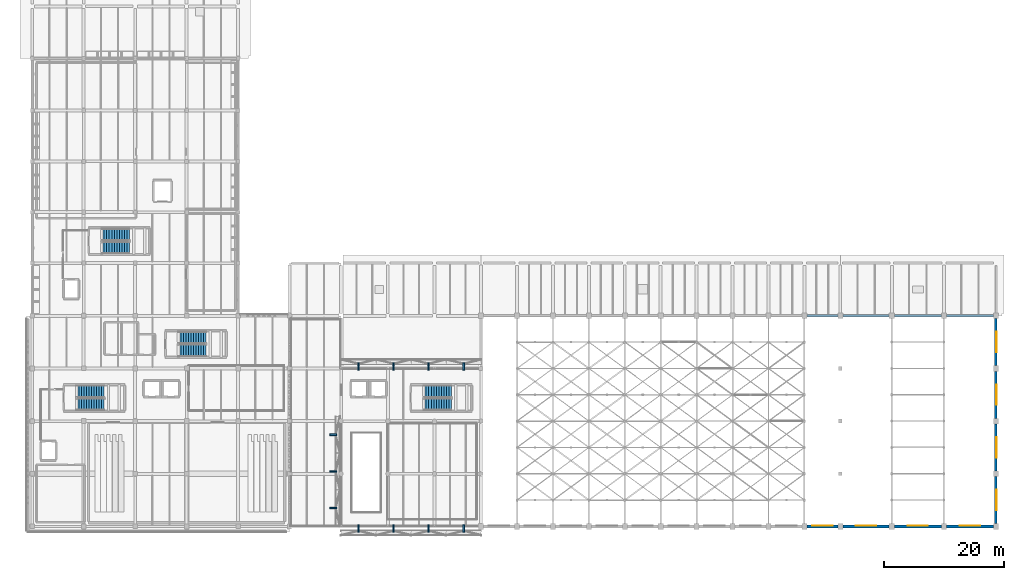
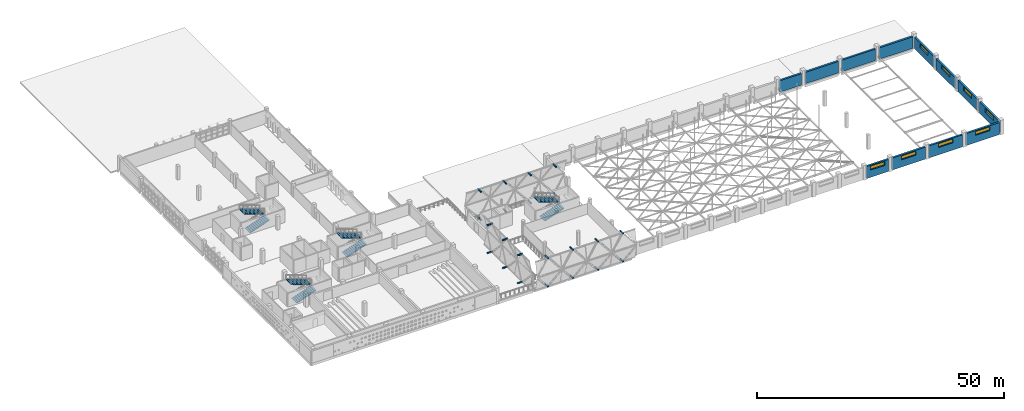
# One storey, part 83 of 93: 22 discrete accessories, 12 walls, 8 stair flights, 8 windows, 8 openings, 4 elements without a shape of their own.
"""IFC4 building model written with IfcOpenShell, lengths in metres."""

from ifc_helpers import new_model, si_unit, direction, frame, frame_2d, origin, origin_2d, place, context, subcontext, project, spatial, polyline, rectangle, outline, extrude, material, layer, layer_set, type_object, element, fill, aggregate, save


model = new_model("IFC4")

# Units and contexts
model_context = context("Model", 3, precision=1e-05, world=origin(), true_north=direction((0.0, 1.0)))
body_context = subcontext(model_context, "Body", "Model", "MODEL_VIEW")
ifc_project = project(units=[si_unit("LENGTHUNIT", "METRE"), si_unit("AREAUNIT", "SQUARE_METRE"), si_unit("VOLUMEUNIT", "CUBIC_METRE"), si_unit("PLANEANGLEUNIT", "RADIAN"), si_unit("MASSUNIT", "GRAM", prefix="KILO")], contexts=[model_context])

# Site, building, storey
site_placement = place(None, origin())
site = spatial("IfcSite", under=ifc_project, at=site_placement, CompositionType="ELEMENT")
building_placement = place(site_placement, origin())
building = spatial("IfcBuilding", under=site, at=building_placement, Name="Varnakota Cinema and Media Centre", CompositionType="ELEMENT")
storey_placement = place(building_placement, frame((0.0, 0.0, 12.0)))
storey = spatial("IfcBuildingStorey", under=building, at=storey_placement, Name="L03", CompositionType="ELEMENT", Elevation=12.0)

# Wall, opening, window
ifc_material_1 = material(Name="Deccan grey granite ashlar", Category="masonry")
ifc_layer = layer(ifc_material_1, 0.43994140625)
ifc_layer_set = layer_set([ifc_layer], Name="Deccan grey granite ashlar")
wall_type = type_object("IfcWallType", Name="W-EXT-HALL-440", PredefinedType="SOLIDWALL", material=ifc_layer_set)
wall_1_placement = place(storey_placement, frame((134.574951171875, 0.0, 0.0), z_axis=(0.0, 0.0, 1.0), x_axis=(-1.0, 0.0, 0.0)))
wall_1 = element("IfcWall", 1, at=wall_1_placement, inside=storey, type_object=wall_type, Name="L03 exterior wall V1-S-1", PredefinedType="SOLIDWALL", context=body_context, shape_type="SweptSolid", body=[
    extrude(rectangle(XDim=5.14990234375, YDim=0.43994140625, at=frame_2d((2.574951171875, 0.0))), origin(), (0.0, 0.0, 1.0), 2.985107421875),
])
opening_1_placement = place(wall_1_placement, frame((0.875, 0.0, 1.784912109375)))
opening_1 = element("IfcOpeningElement", 2, at=opening_1_placement, cuts=wall_1, Name="Opening WR05", PredefinedType="OPENING", context=body_context, shape_type="SweptSolid", body=[
    extrude(rectangle(XDim=3.39990234375, YDim=0.949951171875, at=frame_2d((1.699951171875, 0.47509765625))), frame((0.0, 0.219970703125, 0.0), z_axis=(0.0, -1.0, 0.0), x_axis=(1.0, 0.0, 0.0)), (0.0, 0.0, 1.0), 0.43994140625),
])
ifc_material_2 = material(Name="Laminated solar-control double glazing", Category="glass")
window_type = type_object("IfcWindowType", Name="WIN-CLER-340x095", PartitioningType="SINGLE_PANEL", PredefinedType="WINDOW", material=ifc_material_2)
window_1_placement = place(opening_1_placement, origin())
window_1 = element("IfcWindow", 3, at=window_1_placement, inside=storey, type_object=window_type, Name="L03 window WR05", OverallHeight=0.949951171875, OverallWidth=3.39990234375, PartitioningType="SINGLE_PANEL", PredefinedType="WINDOW", context=body_context, shape_type="SweptSolid", body=[
    extrude(rectangle(XDim=3.39990234375, YDim=0.949951171875, at=frame_2d((1.699951171875, 0.47509765625))), frame((0.0, -0.090087890625, 0.0), z_axis=(0.0, -1.0, 0.0), x_axis=(1.0, 0.0, 0.0)), (0.0, 0.0, 1.0), 0.06005859375),
])
fill(opening_1, window_1)

wall_2_placement = place(storey_placement, frame((160.574951171875, 0.0, 0.0), z_axis=(0.0, 0.0, 1.0), x_axis=(-1.0, 0.0, 0.0)))
wall_2 = element("IfcWall", 4, at=wall_2_placement, inside=storey, type_object=wall_type, Name="L03 exterior wall V2-S-1", PredefinedType="SOLIDWALL", context=body_context, shape_type="SweptSolid", body=[
    extrude(rectangle(XDim=7.849853515625, YDim=0.43994140625, at=frame_2d((3.9248046875, 0.0))), origin(), (0.0, 0.0, 1.0), 2.985107421875),
])
opening_2_placement = place(wall_2_placement, frame((2.22509765625, 0.0, 1.784912109375)))
opening_2 = element("IfcOpeningElement", 5, at=opening_2_placement, cuts=wall_2, Name="Opening WR05", PredefinedType="OPENING", context=body_context, shape_type="SweptSolid", body=[
    extrude(rectangle(XDim=3.39990234375, YDim=0.949951171875, at=frame_2d((1.699951171875, 0.47509765625))), frame((0.0, 0.219970703125, 0.0), z_axis=(0.0, -1.0, 0.0), x_axis=(1.0, 0.0, 0.0)), (0.0, 0.0, 1.0), 0.43994140625),
])
window_2_placement = place(opening_2_placement, origin())
window_2 = element("IfcWindow", 6, at=window_2_placement, inside=storey, type_object=window_type, Name="L03 window WR05", OverallHeight=0.949951171875, OverallWidth=3.39990234375, PartitioningType="SINGLE_PANEL", PredefinedType="WINDOW", context=body_context, shape_type="SweptSolid", body=[
    extrude(rectangle(XDim=3.39990234375, YDim=0.949951171875, at=frame_2d((1.699951171875, 0.47509765625))), frame((0.0, -0.090087890625, 0.0), z_axis=(0.0, -1.0, 0.0), x_axis=(1.0, 0.0, 0.0)), (0.0, 0.0, 1.0), 0.06005859375),
])
fill(opening_2, window_2)

wall_3_placement = place(storey_placement, frame((151.875, 0.0, 0.0), z_axis=(0.0, 0.0, 1.0), x_axis=(-1.0, 0.0, 0.0)))
wall_3 = element("IfcWall", 7, at=wall_3_placement, inside=storey, type_object=wall_type, Name="L03 exterior wall V2-S-2", PredefinedType="SOLIDWALL", context=body_context, shape_type="SweptSolid", body=[
    extrude(rectangle(XDim=7.85009765625, YDim=0.43994140625, at=frame_2d((3.925048828125, 0.0))), origin(), (0.0, 0.0, 1.0), 2.985107421875),
])
opening_3_placement = place(wall_3_placement, frame((2.22509765625, 0.0, 1.784912109375)))
opening_3 = element("IfcOpeningElement", 8, at=opening_3_placement, cuts=wall_3, Name="Opening WR05", PredefinedType="OPENING", context=body_context, shape_type="SweptSolid", body=[
    extrude(rectangle(XDim=3.39990234375, YDim=0.949951171875, at=frame_2d((1.699951171875, 0.47509765625))), frame((0.0, 0.219970703125, 0.0), z_axis=(0.0, -1.0, 0.0), x_axis=(1.0, 0.0, 0.0)), (0.0, 0.0, 1.0), 0.43994140625),
])
window_3_placement = place(opening_3_placement, origin())
window_3 = element("IfcWindow", 9, at=window_3_placement, inside=storey, type_object=window_type, Name="L03 window WR05", OverallHeight=0.949951171875, OverallWidth=3.39990234375, PartitioningType="SINGLE_PANEL", PredefinedType="WINDOW", context=body_context, shape_type="SweptSolid", body=[
    extrude(rectangle(XDim=3.39990234375, YDim=0.949951171875, at=frame_2d((1.699951171875, 0.47509765625))), frame((0.0, -0.090087890625, 0.0), z_axis=(0.0, -1.0, 0.0), x_axis=(1.0, 0.0, 0.0)), (0.0, 0.0, 1.0), 0.06005859375),
])
fill(opening_3, window_3)

wall_4_placement = place(storey_placement, frame((143.175048828125, 0.0, 0.0), z_axis=(0.0, 0.0, 1.0), x_axis=(-1.0, 0.0, 0.0)))
wall_4 = element("IfcWall", 10, at=wall_4_placement, inside=storey, type_object=wall_type, Name="L03 exterior wall V2-S-3", PredefinedType="SOLIDWALL", context=body_context, shape_type="SweptSolid", body=[
    extrude(rectangle(XDim=7.75, YDim=0.43994140625, at=frame_2d((3.875, 0.0))), origin(), (0.0, 0.0, 1.0), 2.985107421875),
])
opening_4_placement = place(wall_4_placement, frame((2.175048828125, 0.0, 1.784912109375)))
opening_4 = element("IfcOpeningElement", 11, at=opening_4_placement, cuts=wall_4, Name="Opening WR05", PredefinedType="OPENING", context=body_context, shape_type="SweptSolid", body=[
    extrude(rectangle(XDim=3.39990234375, YDim=0.949951171875, at=frame_2d((1.699951171875, 0.47509765625))), frame((0.0, 0.219970703125, 0.0), z_axis=(0.0, -1.0, 0.0), x_axis=(1.0, 0.0, 0.0)), (0.0, 0.0, 1.0), 0.43994140625),
])
window_4_placement = place(opening_4_placement, origin())
window_4 = element("IfcWindow", 12, at=window_4_placement, inside=storey, type_object=window_type, Name="L03 window WR05", OverallHeight=0.949951171875, OverallWidth=3.39990234375, PartitioningType="SINGLE_PANEL", PredefinedType="WINDOW", context=body_context, shape_type="SweptSolid", body=[
    extrude(rectangle(XDim=3.39990234375, YDim=0.949951171875, at=frame_2d((1.699951171875, 0.47509765625))), frame((0.0, -0.090087890625, 0.0), z_axis=(0.0, -1.0, 0.0), x_axis=(1.0, 0.0, 0.0)), (0.0, 0.0, 1.0), 0.06005859375),
])
fill(opening_4, window_4)

wall_5_placement = place(storey_placement, frame((161.0, 0.47509765625, 0.0), z_axis=(0.0, 0.0, 1.0), x_axis=(0.0, 1.0, 0.0)))
wall_5 = element("IfcWall", 13, at=wall_5_placement, inside=storey, type_object=wall_type, Name="L03 exterior wall V2-E-HALL-1", PredefinedType="SOLIDWALL", context=body_context, shape_type="SweptSolid", body=[
    extrude(rectangle(XDim=7.849853515625, YDim=0.43994140625, at=frame_2d((3.9248046875, 0.0))), origin(), (0.0, 0.0, 1.0), 2.8349609375),
])
opening_5_placement = place(wall_5_placement, frame((2.22509765625, 0.0, 1.635009765625)))
opening_5 = element("IfcOpeningElement", 14, at=opening_5_placement, cuts=wall_5, Name="Opening WR05", PredefinedType="OPENING", context=body_context, shape_type="SweptSolid", body=[
    extrude(rectangle(XDim=3.39990234375, YDim=0.949951171875, at=frame_2d((1.699951171875, 0.47509765625))), frame((0.0, 0.219970703125, 0.0), z_axis=(0.0, -1.0, 0.0), x_axis=(1.0, 0.0, 0.0)), (0.0, 0.0, 1.0), 0.43994140625),
])
window_5_placement = place(opening_5_placement, origin())
window_5 = element("IfcWindow", 15, at=window_5_placement, inside=storey, type_object=window_type, Name="L03 window WR05", OverallHeight=0.949951171875, OverallWidth=3.39990234375, PartitioningType="SINGLE_PANEL", PredefinedType="WINDOW", context=body_context, shape_type="SweptSolid", body=[
    extrude(rectangle(XDim=3.39990234375, YDim=0.949951171875, at=frame_2d((1.699951171875, 0.47509765625))), frame((0.0, -0.090087890625, 0.0), z_axis=(0.0, -1.0, 0.0), x_axis=(1.0, 0.0, 0.0)), (0.0, 0.0, 1.0), 0.06005859375),
])
fill(opening_5, window_5)

wall_6_placement = place(storey_placement, frame((161.0, 9.27490234375, 0.0), z_axis=(0.0, 0.0, 1.0), x_axis=(0.0, 1.0, 0.0)))
wall_6 = element("IfcWall", 16, at=wall_6_placement, inside=storey, type_object=wall_type, Name="L03 exterior wall V2-E-HALL-2", PredefinedType="SOLIDWALL", context=body_context, shape_type="SweptSolid", body=[
    extrude(rectangle(XDim=7.85009765625, YDim=0.43994140625, at=frame_2d((3.925048828125, 0.0))), origin(), (0.0, 0.0, 1.0), 2.8349609375),
])
opening_6_placement = place(wall_6_placement, frame((2.22509765625, 0.0, 1.635009765625)))
opening_6 = element("IfcOpeningElement", 17, at=opening_6_placement, cuts=wall_6, Name="Opening WR05", PredefinedType="OPENING", context=body_context, shape_type="SweptSolid", body=[
    extrude(rectangle(XDim=3.39990234375, YDim=0.949951171875, at=frame_2d((1.699951171875, 0.47509765625))), frame((0.0, 0.219970703125, 0.0), z_axis=(0.0, -1.0, 0.0), x_axis=(1.0, 0.0, 0.0)), (0.0, 0.0, 1.0), 0.43994140625),
])
window_6_placement = place(opening_6_placement, origin())
window_6 = element("IfcWindow", 18, at=window_6_placement, inside=storey, type_object=window_type, Name="L03 window WR05", OverallHeight=0.949951171875, OverallWidth=3.39990234375, PartitioningType="SINGLE_PANEL", PredefinedType="WINDOW", context=body_context, shape_type="SweptSolid", body=[
    extrude(rectangle(XDim=3.39990234375, YDim=0.949951171875, at=frame_2d((1.699951171875, 0.47509765625))), frame((0.0, -0.090087890625, 0.0), z_axis=(0.0, -1.0, 0.0), x_axis=(1.0, 0.0, 0.0)), (0.0, 0.0, 1.0), 0.06005859375),
])
fill(opening_6, window_6)

wall_7_placement = place(storey_placement, frame((161.0, 18.074951171875, 0.0), z_axis=(0.0, 0.0, 1.0), x_axis=(0.0, 1.0, 0.0)))
wall_7 = element("IfcWall", 19, at=wall_7_placement, inside=storey, type_object=wall_type, Name="L03 exterior wall V2-E-HALL-3", PredefinedType="SOLIDWALL", context=body_context, shape_type="SweptSolid", body=[
    extrude(rectangle(XDim=7.85009765625, YDim=0.43994140625, at=frame_2d((3.925048828125, 0.0))), origin(), (0.0, 0.0, 1.0), 2.8349609375),
])
opening_7_placement = place(wall_7_placement, frame((2.22509765625, 0.0, 1.635009765625)))
opening_7 = element("IfcOpeningElement", 20, at=opening_7_placement, cuts=wall_7, Name="Opening WR05", PredefinedType="OPENING", context=body_context, shape_type="SweptSolid", body=[
    extrude(rectangle(XDim=3.39990234375, YDim=0.949951171875, at=frame_2d((1.699951171875, 0.47509765625))), frame((0.0, 0.219970703125, 0.0), z_axis=(0.0, -1.0, 0.0), x_axis=(1.0, 0.0, 0.0)), (0.0, 0.0, 1.0), 0.43994140625),
])
window_7_placement = place(opening_7_placement, origin())
window_7 = element("IfcWindow", 21, at=window_7_placement, inside=storey, type_object=window_type, Name="L03 window WR05", OverallHeight=0.949951171875, OverallWidth=3.39990234375, PartitioningType="SINGLE_PANEL", PredefinedType="WINDOW", context=body_context, shape_type="SweptSolid", body=[
    extrude(rectangle(XDim=3.39990234375, YDim=0.949951171875, at=frame_2d((1.699951171875, 0.47509765625))), frame((0.0, -0.090087890625, 0.0), z_axis=(0.0, -1.0, 0.0), x_axis=(1.0, 0.0, 0.0)), (0.0, 0.0, 1.0), 0.06005859375),
])
fill(opening_7, window_7)

wall_8_placement = place(storey_placement, frame((161.0, 26.875, 0.0), z_axis=(0.0, 0.0, 1.0), x_axis=(0.0, 1.0, 0.0)))
wall_8 = element("IfcWall", 22, at=wall_8_placement, inside=storey, type_object=wall_type, Name="L03 exterior wall V2-E-HALL-4", PredefinedType="SOLIDWALL", context=body_context, shape_type="SweptSolid", body=[
    extrude(rectangle(XDim=7.85009765625, YDim=0.43994140625, at=frame_2d((3.925048828125, 0.0))), origin(), (0.0, 0.0, 1.0), 2.8349609375),
])
opening_8_placement = place(wall_8_placement, frame((2.22509765625, 0.0, 1.635009765625)))
opening_8 = element("IfcOpeningElement", 23, at=opening_8_placement, cuts=wall_8, Name="Opening WR05", PredefinedType="OPENING", context=body_context, shape_type="SweptSolid", body=[
    extrude(rectangle(XDim=3.39990234375, YDim=0.949951171875, at=frame_2d((1.699951171875, 0.47509765625))), frame((0.0, 0.219970703125, 0.0), z_axis=(0.0, -1.0, 0.0), x_axis=(1.0, 0.0, 0.0)), (0.0, 0.0, 1.0), 0.43994140625),
])
window_8_placement = place(opening_8_placement, origin())
window_8 = element("IfcWindow", 24, at=window_8_placement, inside=storey, type_object=window_type, Name="L03 window WR05", OverallHeight=0.949951171875, OverallWidth=3.39990234375, PartitioningType="SINGLE_PANEL", PredefinedType="WINDOW", context=body_context, shape_type="SweptSolid", body=[
    extrude(rectangle(XDim=3.39990234375, YDim=0.949951171875, at=frame_2d((1.699951171875, 0.47509765625))), frame((0.0, -0.090087890625, 0.0), z_axis=(0.0, -1.0, 0.0), x_axis=(1.0, 0.0, 0.0)), (0.0, 0.0, 1.0), 0.06005859375),
])
fill(opening_8, window_8)

# Walls
wall_9_placement = place(storey_placement, frame((135.425048828125, 35.199951171875, 0.0), z_axis=(0.0, 0.0, 1.0), x_axis=(1.0, 0.0, 0.0)))
element("IfcWall", 25, at=wall_9_placement, inside=storey, type_object=wall_type, Name="L03 exterior wall V2-N-1", PredefinedType="SOLIDWALL", context=body_context, shape_type="SweptSolid", body=[
    extrude(rectangle(XDim=7.75, YDim=0.43994140625, at=frame_2d((3.875, 0.0))), origin(), (0.0, 0.0, 1.0), 2.8349609375),
])
wall_10_placement = place(storey_placement, frame((144.02490234375, 35.199951171875, 0.0), z_axis=(0.0, 0.0, 1.0), x_axis=(1.0, 0.0, 0.0)))
element("IfcWall", 26, at=wall_10_placement, inside=storey, type_object=wall_type, Name="L03 exterior wall V2-N-2", PredefinedType="SOLIDWALL", context=body_context, shape_type="SweptSolid", body=[
    extrude(rectangle(XDim=7.85009765625, YDim=0.43994140625, at=frame_2d((3.925048828125, 0.0))), origin(), (0.0, 0.0, 1.0), 2.8349609375),
])
wall_11_placement = place(storey_placement, frame((152.72509765625, 35.199951171875, 0.0), z_axis=(0.0, 0.0, 1.0), x_axis=(1.0, 0.0, 0.0)))
element("IfcWall", 27, at=wall_11_placement, inside=storey, type_object=wall_type, Name="L03 exterior wall V2-N-3", PredefinedType="SOLIDWALL", context=body_context, shape_type="SweptSolid", body=[
    extrude(rectangle(XDim=7.849853515625, YDim=0.43994140625, at=frame_2d((3.9248046875, 0.0))), origin(), (0.0, 0.0, 1.0), 2.8349609375),
])
wall_12_placement = place(storey_placement, frame((129.425048828125, 35.199951171875, 0.0), z_axis=(0.0, 0.0, 1.0), x_axis=(1.0, 0.0, 0.0)))
element("IfcWall", 28, at=wall_12_placement, inside=storey, type_object=wall_type, Name="L03 exterior wall V1-N-10", PredefinedType="SOLIDWALL", context=body_context, shape_type="SweptSolid", body=[
    extrude(rectangle(XDim=5.14990234375, YDim=0.43994140625, at=frame_2d((2.574951171875, 0.0))), origin(), (0.0, 0.0, 1.0), 2.8349609375),
])

# Stair, stair flights
ifc_material_3 = material(Name="Concrete M35", Category="concrete")
stair_type_1 = type_object("IfcStairType", Name="STR-CORE-ST-01-2000", PredefinedType="HALF_TURN_STAIR", material=ifc_material_3)
stair_1_placement = place(storey_placement, origin())
stair_1 = element("IfcStair", 29, at=stair_1_placement, inside=storey, type_object=stair_type_1, Name="L03 West Firefighting Stair 1", PredefinedType="HALF_TURN_STAIR")
ifc_material_4 = material(Name="Concrete M35", Category="concrete")
stair_flight_type_1 = type_object("IfcStairFlightType", Name="STF-CORE-ST-01-2000", PredefinedType="STRAIGHT", material=ifc_material_4)
stair_flight_1_placement = place(storey_placement, frame((7.39990234375, 20.39990234375, 0.0), z_axis=(0.0, 0.0, 1.0), x_axis=(1.0, 0.0, 0.0)))
stair_flight_1 = element("IfcStairFlight", 30, at=stair_flight_1_placement, type_object=stair_flight_type_1, Name="ST-01 flight 1", NumberOfRisers=12, NumberOfTreads=11, PredefinedType="STRAIGHT", RiserHeight=0.15, TreadLength=0.42, context=body_context, shape_type="SweptSolid", body=[
    extrude(outline(polyline([(0.0, 0.0), (0.0, 0.14990234375), (0.419921875, 0.14990234375), (0.419921875, 0.300048828125), (0.840087890625, 0.300048828125), (0.840087890625, 0.449951171875), (1.260009765625, 0.449951171875), (1.260009765625, 0.60009765625), (1.679931640625, 0.60009765625), (1.679931640625, 0.75), (2.10009765625, 0.75), (2.10009765625, 0.89990234375), (2.52001953125, 0.89990234375), (2.52001953125, 1.050048828125), (2.93994140625, 1.050048828125), (2.93994140625, 1.199951171875), (3.360107421875, 1.199951171875), (3.360107421875, 1.35009765625), (3.780029296875, 1.35009765625), (3.780029296875, 1.5), (4.199951171875, 1.5), (4.199951171875, 1.64990234375), (4.6201171875, 1.64990234375), (4.6201171875, 1.800048828125), (4.6201171875, 1.49072265625), (0.44580078125, 0.0), (0.0, 0.0)])), frame((0.0, 1.0, 0.0), z_axis=(0.0, -1.0, 0.0), x_axis=(1.0, 0.0, 0.0)), (0.0, 0.0, 1.0), 2.0),
])
stair_flight_2_placement = place(storey_placement, frame((12.02001953125, 22.550048828125, 1.800048828125), z_axis=(0.0, 0.0, 1.0), x_axis=(-1.0, 0.0, 0.0)))
stair_flight_2 = element("IfcStairFlight", 31, at=stair_flight_2_placement, type_object=stair_flight_type_1, Name="ST-01 flight 2", NumberOfRisers=12, NumberOfTreads=11, PredefinedType="STRAIGHT", RiserHeight=0.15, TreadLength=0.42, context=body_context, shape_type="SweptSolid", body=[
    extrude(outline(polyline([(0.0, 0.0), (0.0, 0.14990234375), (0.419921875, 0.14990234375), (0.419921875, 0.300048828125), (0.840087890625, 0.300048828125), (0.840087890625, 0.449951171875), (1.260009765625, 0.449951171875), (1.260009765625, 0.60009765625), (1.679931640625, 0.60009765625), (1.679931640625, 0.75), (2.10009765625, 0.75), (2.10009765625, 0.89990234375), (2.52001953125, 0.89990234375), (2.52001953125, 1.050048828125), (2.93994140625, 1.050048828125), (2.93994140625, 1.199951171875), (3.360107421875, 1.199951171875), (3.360107421875, 1.35009765625), (3.780029296875, 1.35009765625), (3.780029296875, 1.5), (4.199951171875, 1.5), (4.199951171875, 1.64990234375), (4.6201171875, 1.64990234375), (4.6201171875, 1.800048828125), (4.6201171875, 1.49072265625), (0.44580078125, 0.0), (0.0, 0.0)])), frame((0.0, 1.0, 0.0), z_axis=(0.0, -1.0, 0.0), x_axis=(1.0, 0.0, 0.0)), (0.0, 0.0, 1.0), 2.0),
])
aggregate(stair_1, [stair_flight_1, stair_flight_2])

ifc_material_5 = material(Name="Concrete M35", Category="concrete")
stair_type_2 = type_object("IfcStairType", Name="STR-CORE-ST-02-2000", PredefinedType="HALF_TURN_STAIR", material=ifc_material_5)
stair_2_placement = place(storey_placement, origin())
stair_2 = element("IfcStair", 32, at=stair_2_placement, inside=storey, type_object=stair_type_2, Name="L03 Cinema North Escape Stair 2", PredefinedType="HALF_TURN_STAIR")
ifc_material_6 = material(Name="Concrete M35", Category="concrete")
stair_flight_type_2 = type_object("IfcStairFlightType", Name="STF-CORE-ST-02-2000", PredefinedType="STRAIGHT", material=ifc_material_6)
stair_flight_3_placement = place(storey_placement, frame((24.39990234375, 29.39990234375, 0.0), z_axis=(0.0, 0.0, 1.0), x_axis=(1.0, 0.0, 0.0)))
stair_flight_3 = element("IfcStairFlight", 33, at=stair_flight_3_placement, type_object=stair_flight_type_2, Name="ST-02 flight 1", NumberOfRisers=12, NumberOfTreads=11, PredefinedType="STRAIGHT", RiserHeight=0.15, TreadLength=0.42, context=body_context, shape_type="SweptSolid", body=[
    extrude(outline(polyline([(0.0, 0.0), (0.0, 0.14990234375), (0.419921875, 0.14990234375), (0.419921875, 0.300048828125), (0.840087890625, 0.300048828125), (0.840087890625, 0.449951171875), (1.260009765625, 0.449951171875), (1.260009765625, 0.60009765625), (1.679931640625, 0.60009765625), (1.679931640625, 0.75), (2.10009765625, 0.75), (2.10009765625, 0.89990234375), (2.52001953125, 0.89990234375), (2.52001953125, 1.050048828125), (2.93994140625, 1.050048828125), (2.93994140625, 1.199951171875), (3.360107421875, 1.199951171875), (3.360107421875, 1.35009765625), (3.780029296875, 1.35009765625), (3.780029296875, 1.5), (4.199951171875, 1.5), (4.199951171875, 1.64990234375), (4.6201171875, 1.64990234375), (4.6201171875, 1.800048828125), (4.6201171875, 1.49072265625), (0.44580078125, 0.0), (0.0, 0.0)])), frame((0.0, 1.0, 0.0), z_axis=(0.0, -1.0, 0.0), x_axis=(1.0, 0.0, 0.0)), (0.0, 0.0, 1.0), 2.0),
])
stair_flight_4_placement = place(storey_placement, frame((29.02001953125, 31.550048828125, 1.800048828125), z_axis=(0.0, 0.0, 1.0), x_axis=(-1.0, 0.0, 0.0)))
stair_flight_4 = element("IfcStairFlight", 34, at=stair_flight_4_placement, type_object=stair_flight_type_2, Name="ST-02 flight 2", NumberOfRisers=12, NumberOfTreads=11, PredefinedType="STRAIGHT", RiserHeight=0.15, TreadLength=0.42, context=body_context, shape_type="SweptSolid", body=[
    extrude(outline(polyline([(0.0, 0.0), (0.0, 0.14990234375), (0.419921875, 0.14990234375), (0.419921875, 0.300048828125), (0.840087890625, 0.300048828125), (0.840087890625, 0.449951171875), (1.260009765625, 0.449951171875), (1.260009765625, 0.60009765625), (1.679931640625, 0.60009765625), (1.679931640625, 0.75), (2.10009765625, 0.75), (2.10009765625, 0.89990234375), (2.52001953125, 0.89990234375), (2.52001953125, 1.050048828125), (2.93994140625, 1.050048828125), (2.93994140625, 1.199951171875), (3.360107421875, 1.199951171875), (3.360107421875, 1.35009765625), (3.780029296875, 1.35009765625), (3.780029296875, 1.5), (4.199951171875, 1.5), (4.199951171875, 1.64990234375), (4.6201171875, 1.64990234375), (4.6201171875, 1.800048828125), (4.6201171875, 1.49072265625), (0.44580078125, 0.0), (0.0, 0.0)])), frame((0.0, 1.0, 0.0), z_axis=(0.0, -1.0, 0.0), x_axis=(1.0, 0.0, 0.0)), (0.0, 0.0, 1.0), 2.0),
])
aggregate(stair_2, [stair_flight_3, stair_flight_4])

ifc_material_7 = material(Name="Concrete M35", Category="concrete")
stair_type_3 = type_object("IfcStairType", Name="STR-CORE-ST-03-2000", PredefinedType="HALF_TURN_STAIR", material=ifc_material_7)
stair_3_placement = place(storey_placement, origin())
stair_3 = element("IfcStair", 35, at=stair_3_placement, inside=storey, type_object=stair_type_3, Name="L03 Studio Firefighting Stair 3", PredefinedType="HALF_TURN_STAIR")
ifc_material_8 = material(Name="Concrete M35", Category="concrete")
stair_flight_type_3 = type_object("IfcStairFlightType", Name="STF-CORE-ST-03-2000", PredefinedType="STRAIGHT", material=ifc_material_8)
stair_flight_5_placement = place(storey_placement, frame((11.60009765625, 46.60009765625, 0.0), z_axis=(0.0, 0.0, 1.0), x_axis=(1.0, 0.0, 0.0)))
stair_flight_5 = element("IfcStairFlight", 36, at=stair_flight_5_placement, type_object=stair_flight_type_3, Name="ST-03 flight 1", NumberOfRisers=12, NumberOfTreads=11, PredefinedType="STRAIGHT", RiserHeight=0.15, TreadLength=0.42, context=body_context, shape_type="SweptSolid", body=[
    extrude(outline(polyline([(0.0, 0.0), (0.0, 0.14990234375), (0.419921875, 0.14990234375), (0.419921875, 0.300048828125), (0.840087890625, 0.300048828125), (0.840087890625, 0.449951171875), (1.260009765625, 0.449951171875), (1.260009765625, 0.60009765625), (1.679931640625, 0.60009765625), (1.679931640625, 0.75), (2.10009765625, 0.75), (2.10009765625, 0.89990234375), (2.52001953125, 0.89990234375), (2.52001953125, 1.050048828125), (2.93994140625, 1.050048828125), (2.93994140625, 1.199951171875), (3.360107421875, 1.199951171875), (3.360107421875, 1.35009765625), (3.780029296875, 1.35009765625), (3.780029296875, 1.5), (4.199951171875, 1.5), (4.199951171875, 1.64990234375), (4.6201171875, 1.64990234375), (4.6201171875, 1.800048828125), (4.6201171875, 1.49072265625), (0.44580078125, 0.0), (0.0, 0.0)])), frame((0.0, 1.0, 0.0), z_axis=(0.0, -1.0, 0.0), x_axis=(1.0, 0.0, 0.0)), (0.0, 0.0, 1.0), 2.0),
])
stair_flight_6_placement = place(storey_placement, frame((16.219970703125, 48.75, 1.800048828125), z_axis=(0.0, 0.0, 1.0), x_axis=(-1.0, 0.0, 0.0)))
stair_flight_6 = element("IfcStairFlight", 37, at=stair_flight_6_placement, type_object=stair_flight_type_3, Name="ST-03 flight 2", NumberOfRisers=12, NumberOfTreads=11, PredefinedType="STRAIGHT", RiserHeight=0.15, TreadLength=0.42, context=body_context, shape_type="SweptSolid", body=[
    extrude(outline(polyline([(0.0, 0.0), (0.0, 0.14990234375), (0.419921875, 0.14990234375), (0.419921875, 0.300048828125), (0.840087890625, 0.300048828125), (0.840087890625, 0.449951171875), (1.260009765625, 0.449951171875), (1.260009765625, 0.60009765625), (1.679931640625, 0.60009765625), (1.679931640625, 0.75), (2.10009765625, 0.75), (2.10009765625, 0.89990234375), (2.52001953125, 0.89990234375), (2.52001953125, 1.050048828125), (2.93994140625, 1.050048828125), (2.93994140625, 1.199951171875), (3.360107421875, 1.199951171875), (3.360107421875, 1.35009765625), (3.780029296875, 1.35009765625), (3.780029296875, 1.5), (4.199951171875, 1.5), (4.199951171875, 1.64990234375), (4.6201171875, 1.64990234375), (4.6201171875, 1.800048828125), (4.6201171875, 1.49072265625), (0.44580078125, 0.0), (0.0, 0.0)])), frame((0.0, 1.0, 0.0), z_axis=(0.0, -1.0, 0.0), x_axis=(1.0, 0.0, 0.0)), (0.0, 0.0, 1.0), 2.0),
])
aggregate(stair_3, [stair_flight_5, stair_flight_6])

ifc_material_9 = material(Name="Concrete M35", Category="concrete")
stair_type_4 = type_object("IfcStairType", Name="STR-CORE-ST-04-2000", PredefinedType="HALF_TURN_STAIR", material=ifc_material_9)
stair_4_placement = place(storey_placement, origin())
stair_4 = element("IfcStair", 38, at=stair_4_placement, inside=storey, type_object=stair_type_4, Name="L03 Foyer and Terrace Escape Stair 4", PredefinedType="HALF_TURN_STAIR")
ifc_material_10 = material(Name="Concrete M35", Category="concrete")
stair_flight_type_4 = type_object("IfcStairFlightType", Name="STF-CORE-ST-04-2000", PredefinedType="STRAIGHT", material=ifc_material_10)
stair_flight_7_placement = place(storey_placement, frame((65.39990234375, 20.39990234375, 0.0), z_axis=(0.0, 0.0, 1.0), x_axis=(1.0, 0.0, 0.0)))
stair_flight_7 = element("IfcStairFlight", 39, at=stair_flight_7_placement, type_object=stair_flight_type_4, Name="ST-04 flight 1", NumberOfRisers=12, NumberOfTreads=11, PredefinedType="STRAIGHT", RiserHeight=0.15, TreadLength=0.42, context=body_context, shape_type="SweptSolid", body=[
    extrude(outline(polyline([(0.0, 0.0), (0.0, 0.14990234375), (0.419921875, 0.14990234375), (0.419921875, 0.300048828125), (0.840087890625, 0.300048828125), (0.840087890625, 0.449951171875), (1.260009765625, 0.449951171875), (1.260009765625, 0.60009765625), (1.679931640625, 0.60009765625), (1.679931640625, 0.75), (2.10009765625, 0.75), (2.10009765625, 0.89990234375), (2.52001953125, 0.89990234375), (2.52001953125, 1.050048828125), (2.93994140625, 1.050048828125), (2.93994140625, 1.199951171875), (3.360107421875, 1.199951171875), (3.360107421875, 1.35009765625), (3.780029296875, 1.35009765625), (3.780029296875, 1.5), (4.199951171875, 1.5), (4.199951171875, 1.64990234375), (4.6201171875, 1.64990234375), (4.6201171875, 1.800048828125), (4.6201171875, 1.49072265625), (0.44580078125, 0.0), (0.0, 0.0)])), frame((0.0, 1.0, 0.0), z_axis=(0.0, -1.0, 0.0), x_axis=(1.0, 0.0, 0.0)), (0.0, 0.0, 1.0), 2.0),
])
stair_flight_8_placement = place(storey_placement, frame((70.02001953125, 22.550048828125, 1.800048828125), z_axis=(0.0, 0.0, 1.0), x_axis=(-1.0, 0.0, 0.0)))
stair_flight_8 = element("IfcStairFlight", 40, at=stair_flight_8_placement, type_object=stair_flight_type_4, Name="ST-04 flight 2", NumberOfRisers=12, NumberOfTreads=11, PredefinedType="STRAIGHT", RiserHeight=0.15, TreadLength=0.42, context=body_context, shape_type="SweptSolid", body=[
    extrude(outline(polyline([(0.0, 0.0), (0.0, 0.14990234375), (0.419921875, 0.14990234375), (0.419921875, 0.300048828125), (0.840087890625, 0.300048828125), (0.840087890625, 0.449951171875), (1.260009765625, 0.449951171875), (1.260009765625, 0.60009765625), (1.679931640625, 0.60009765625), (1.679931640625, 0.75), (2.10009765625, 0.75), (2.10009765625, 0.89990234375), (2.52001953125, 0.89990234375), (2.52001953125, 1.050048828125), (2.93994140625, 1.050048828125), (2.93994140625, 1.199951171875), (3.360107421875, 1.199951171875), (3.360107421875, 1.35009765625), (3.780029296875, 1.35009765625), (3.780029296875, 1.5), (4.199951171875, 1.5), (4.199951171875, 1.64990234375), (4.6201171875, 1.64990234375), (4.6201171875, 1.800048828125), (4.6201171875, 1.49072265625), (0.44580078125, 0.0), (0.0, 0.0)])), frame((0.0, 1.0, 0.0), z_axis=(0.0, -1.0, 0.0), x_axis=(1.0, 0.0, 0.0)), (0.0, 0.0, 1.0), 2.0),
])
aggregate(stair_4, [stair_flight_7, stair_flight_8])

# Discrete accessories
ifc_material_11 = material(Name="Structural steel Grade 350 (E350)", Category="steel")
discrete_accessory_type = type_object("IfcDiscreteAccessoryType", Name="ACC-BRACKET-DMD", PredefinedType="BRACKET", material=ifc_material_11)
for number, where, z_axis, x_axis, name in (
    (41, (72.074951171875, -0.324951171875, -0.08984375), (0.0, 0.0, 1.0), (-1.0, 0.0, 0.0), "CW-V6DMD-S-T2-D01 diamond curtain wall slab bracket 1"),
    (42, (72.074951171875, -0.324951171875, 6.85986328125), (0.0, 0.0, 1.0), (-1.0, 0.0, 0.0), "CW-V6DMD-S-T2-D01 diamond curtain wall slab bracket 2"),
    (43, (66.22509765625, -0.324951171875, -0.08984375), (0.0, 0.0, 1.0), (-1.0, 0.0, 0.0), "CW-V6DMD-S-T2-D02 diamond curtain wall slab bracket 1"),
    (44, (66.22509765625, -0.324951171875, 6.85986328125), (0.0, 0.0, 1.0), (-1.0, 0.0, 0.0), "CW-V6DMD-S-T2-D02 diamond curtain wall slab bracket 2"),
    (45, (60.375, -0.324951171875, -0.08984375), (0.0, 0.0, 1.0), (-1.0, 0.0, 0.0), "CW-V6DMD-S-T2-D03 diamond curtain wall slab bracket 1"),
    (46, (60.375, -0.324951171875, 6.85986328125), (0.0, 0.0, 1.0), (-1.0, 0.0, 0.0), "CW-V6DMD-S-T2-D03 diamond curtain wall slab bracket 2"),
    (47, (54.52490234375, -0.324951171875, -0.08984375), (0.0, 0.0, 1.0), (-1.0, 0.0, 0.0), "CW-V6DMD-S-T2-D04 diamond curtain wall slab bracket 1"),
    (48, (54.52490234375, -0.324951171875, 6.85986328125), (0.0, 0.0, 1.0), (-1.0, 0.0, 0.0), "CW-V6DMD-S-T2-D04 diamond curtain wall slab bracket 2"),
    (49, (54.52490234375, 26.72509765625, -0.08984375), (0.0, 0.0, 1.0), (1.0, 0.0, 0.0), "CW-V6DMD-N-T2-D01 diamond curtain wall slab bracket 1"),
    (50, (54.52490234375, 26.72509765625, 6.85986328125), (0.0, 0.0, 1.0), (1.0, 0.0, 0.0), "CW-V6DMD-N-T2-D01 diamond curtain wall slab bracket 2"),
    (51, (60.375, 26.72509765625, -0.08984375), (0.0, 0.0, 1.0), (1.0, 0.0, 0.0), "CW-V6DMD-N-T2-D02 diamond curtain wall slab bracket 1"),
    (52, (60.375, 26.72509765625, 6.85986328125), (0.0, 0.0, 1.0), (1.0, 0.0, 0.0), "CW-V6DMD-N-T2-D02 diamond curtain wall slab bracket 2"),
    (53, (66.22509765625, 26.72509765625, -0.08984375), (0.0, 0.0, 1.0), (1.0, 0.0, 0.0), "CW-V6DMD-N-T2-D03 diamond curtain wall slab bracket 1"),
    (54, (66.22509765625, 26.72509765625, 6.85986328125), (0.0, 0.0, 1.0), (1.0, 0.0, 0.0), "CW-V6DMD-N-T2-D03 diamond curtain wall slab bracket 2"),
    (55, (72.074951171875, 26.72509765625, -0.08984375), (0.0, 0.0, 1.0), (1.0, 0.0, 0.0), "CW-V6DMD-N-T2-D04 diamond curtain wall slab bracket 1"),
    (56, (72.074951171875, 26.72509765625, 6.85986328125), (0.0, 0.0, 1.0), (1.0, 0.0, 0.0), "CW-V6DMD-N-T2-D04 diamond curtain wall slab bracket 2"),
    (57, (50.27490234375, 15.333251953125, -0.08984375), (0.0, 0.0, 1.0), (0.0, -1.0, 0.0), "CW-V6DMD-W-T2-D01 diamond curtain wall slab bracket 1"),
    (58, (50.27490234375, 15.333251953125, 6.85986328125), (0.0, 0.0, 1.0), (0.0, -1.0, 0.0), "CW-V6DMD-W-T2-D01 diamond curtain wall slab bracket 2"),
    (59, (50.27490234375, 9.199951171875, -0.08984375), (0.0, 0.0, 1.0), (0.0, -1.0, 0.0), "CW-V6DMD-W-T2-D02 diamond curtain wall slab bracket 1"),
    (60, (50.27490234375, 9.199951171875, 6.85986328125), (0.0, 0.0, 1.0), (0.0, -1.0, 0.0), "CW-V6DMD-W-T2-D02 diamond curtain wall slab bracket 2"),
    (61, (50.27490234375, 3.066650390625, -0.08984375), (0.0, 0.0, 1.0), (0.0, -1.0, 0.0), "CW-V6DMD-W-T2-D03 diamond curtain wall slab bracket 1"),
    (62, (50.27490234375, 3.066650390625, 6.85986328125), (0.0, 0.0, 1.0), (0.0, -1.0, 0.0), "CW-V6DMD-W-T2-D03 diamond curtain wall slab bracket 2"),
):
    element("IfcDiscreteAccessory", number, at=place(storey_placement, frame(where, z_axis=z_axis, x_axis=x_axis)), inside=storey, type_object=discrete_accessory_type, Name=name, PredefinedType="BRACKET", context=body_context, shape_type="SweptSolid", body=[
        extrude(rectangle(XDim=0.280029296875, YDim=1.199951171875, at=origin_2d()), origin(), (0.0, 0.0, 1.0), 0.219970703125),
    ])

save(model, "model.ifc")
